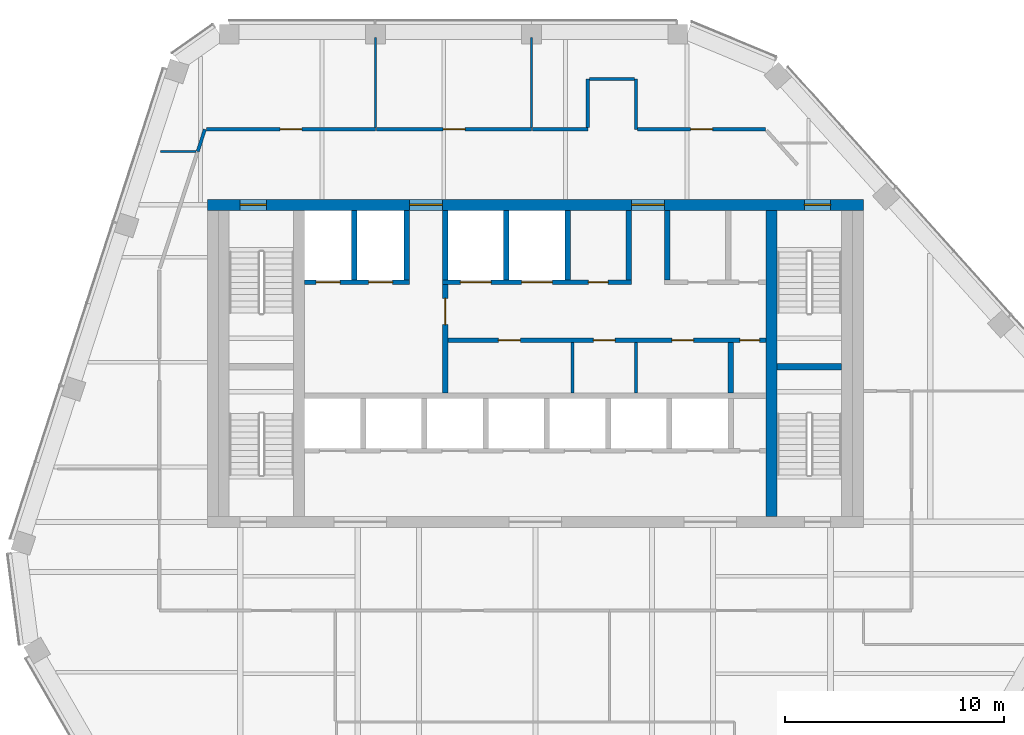
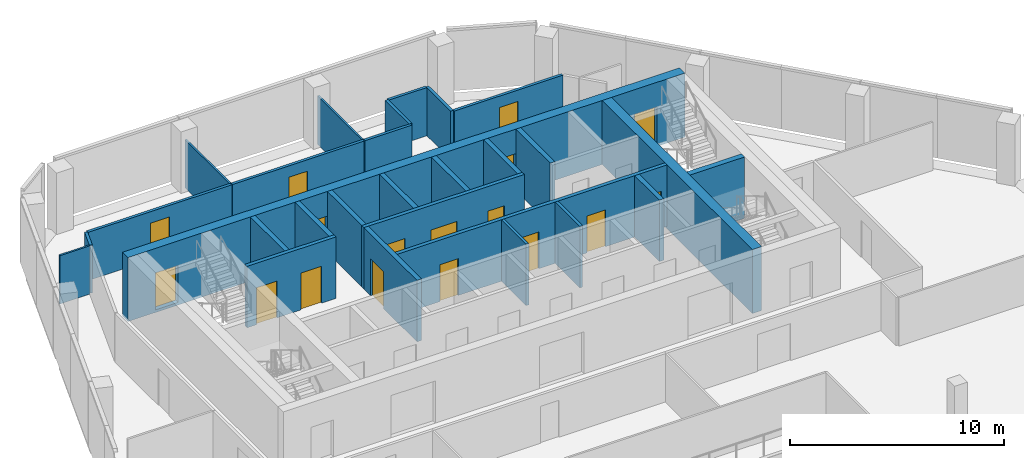
# One storey, part 9 of 15: 28 walls, 17 doors, 17 openings.
"""IFC4 building model written with IfcOpenShell, lengths in metres."""

from ifc_helpers import new_model, si_unit, direction, frame, frame_2d, origin, place, context, subcontext, project, spatial, rectangle, extrude, material, layer, layer_set, type_object, element, fill, save


model = new_model("IFC4")

# Units and contexts
model_context = context("Model", 3, precision=1e-05, world=origin(), true_north=direction((0.0, 1.0)))
body_context = subcontext(model_context, "Body", "Model", "MODEL_VIEW")
ifc_project = project(units=[si_unit("LENGTHUNIT", "METRE"), si_unit("AREAUNIT", "SQUARE_METRE"), si_unit("VOLUMEUNIT", "CUBIC_METRE"), si_unit("PLANEANGLEUNIT", "RADIAN"), si_unit("MASSUNIT", "GRAM", prefix="KILO")], contexts=[model_context])

# Site, building, storey
site_placement = place(None, origin())
site = spatial("IfcSite", under=ifc_project, at=site_placement, CompositionType="ELEMENT")
building_placement = place(site_placement, origin())
building = spatial("IfcBuilding", under=site, at=building_placement, Name="Isthmus Gate Tower", CompositionType="ELEMENT")
storey_placement = place(building_placement, frame((0.0, 0.0, 271.89990234375)))
storey = spatial("IfcBuildingStorey", under=building, at=storey_placement, Name="L69", CompositionType="ELEMENT", Elevation=271.89990234375)

# Walls
ifc_material_1 = material(Name="Gypsum board on steel studs, fire-rated", Category="steel")
ifc_layer_1 = layer(ifc_material_1, 0.14990234375)
ifc_layer_set_1 = layer_set([ifc_layer_1], Name="CORRIDOR WALL 150 60 MIN")
wall_type_1 = type_object("IfcWallType", Name="CORRIDOR WALL 150 60 MIN", PredefinedType="PARTITIONING", material=ifc_layer_set_1)
wall_1_placement = place(storey_placement, frame((4.60009765625, 20.5, 0.0), z_axis=(0.0, 0.0, 1.0), x_axis=(0.0, -1.0, 0.0)))
element("IfcWall", 1, at=wall_1_placement, inside=storey, type_object=wall_type_1, Name="L69 Corridor Wall 150 60 Min", PredefinedType="PARTITIONING", context=body_context, shape_type="SweptSolid", body=[
    extrude(rectangle(XDim=2.300048828125, YDim=0.14990234375, at=frame_2d((1.14990234375, 0.0))), origin(), (0.0, 0.0, 1.0), 2.750732421875),
])
wall_2_placement = place(storey_placement, frame((-15.44189453125, 17.18701171875, 0.0), z_axis=(0.0, 0.0, 1.0), x_axis=(0.308790594164, 0.951130048393, 0.0)))
element("IfcWall", 2, at=wall_2_placement, inside=storey, type_object=wall_type_1, Name="L69 Corridor Wall 150 60 Min", PredefinedType="PARTITIONING", context=body_context, shape_type="SweptSolid", body=[
    extrude(rectangle(XDim=1.06494140625, YDim=0.14990234375, at=frame_2d((0.532470703125, 0.0))), origin(), (0.0, 0.0, 1.0), 2.750732421875),
])

# Wall, opening, door
wall_3_placement = place(storey_placement, frame((-15.0380859375, 18.199951171875, 0.0), z_axis=(0.0, 0.0, 1.0), x_axis=(1.0, 0.0, 0.0)))
wall_3 = element("IfcWall", 3, at=wall_3_placement, inside=storey, type_object=wall_type_1, Name="L69 Corridor Wall 150 60 Min", PredefinedType="PARTITIONING", context=body_context, shape_type="SweptSolid", body=[
    extrude(rectangle(XDim=7.72802734375, YDim=0.14990234375, at=frame_2d((3.864013671875, 0.0))), origin(), (0.0, 0.0, 1.0), 2.750732421875),
])
opening_1_placement = place(wall_3_placement, frame((3.364013671875, 0.0, 0.0)))
opening_1 = element("IfcOpeningElement", 4, at=opening_1_placement, cuts=wall_3, Name="Opening DT-T6B-01", PredefinedType="OPENING", context=body_context, shape_type="SweptSolid", body=[
    extrude(rectangle(XDim=1.0, YDim=2.10009765625, at=frame_2d((0.5, 1.050048828125))), frame((0.0, 0.0849609375, 0.0), z_axis=(0.0, -1.0, 0.0), x_axis=(1.0, 0.0, 0.0)), (0.0, 0.0, 1.0), 0.169921875),
])
ifc_material_2 = material(Name="Solid core timber door leaf, fire-rated", Category="wood")
door_type_1 = type_object("IfcDoorType", Name="FIRE DOOR ROOM 1000 X 2100 60 MIN", OperationType="SINGLE_SWING_LEFT", PredefinedType="DOOR", material=ifc_material_2)
door_1_placement = place(opening_1_placement, origin())
door_1 = element("IfcDoor", 5, at=door_1_placement, inside=storey, type_object=door_type_1, Name="L69 room door", OperationType="SINGLE_SWING_RIGHT", OverallHeight=2.10009765625, OverallWidth=1.0, PredefinedType="DOOR", context=body_context, shape_type="SweptSolid", body=[
    extrude(rectangle(XDim=1.0, YDim=2.10009765625, at=frame_2d((0.5, 1.050048828125))), frame((0.0, 0.02490234375, 0.0), z_axis=(0.0, -1.0, 0.0), x_axis=(1.0, 0.0, 0.0)), (0.0, 0.0, 1.0), 0.050048828125),
])
fill(opening_1, door_1)

wall_4_placement = place(storey_placement, frame((-7.260009765625, 18.199951171875, 0.0), z_axis=(0.0, 0.0, 1.0), x_axis=(1.0, 0.0, 0.0)))
wall_4 = element("IfcWall", 6, at=wall_4_placement, inside=storey, type_object=wall_type_1, Name="L69 Corridor Wall 150 60 Min", PredefinedType="PARTITIONING", context=body_context, shape_type="SweptSolid", body=[
    extrude(rectangle(XDim=7.0849609375, YDim=0.14990234375, at=frame_2d((3.54248046875, 0.0))), origin(), (0.0, 0.0, 1.0), 2.750732421875),
])
opening_2_placement = place(wall_4_placement, frame((3.04248046875, 0.0, 0.0)))
opening_2 = element("IfcOpeningElement", 7, at=opening_2_placement, cuts=wall_4, Name="Opening DT-T6B-02", PredefinedType="OPENING", context=body_context, shape_type="SweptSolid", body=[
    extrude(rectangle(XDim=1.0, YDim=2.10009765625, at=frame_2d((0.5, 1.050048828125))), frame((0.0, 0.0849609375, 0.0), z_axis=(0.0, -1.0, 0.0), x_axis=(1.0, 0.0, 0.0)), (0.0, 0.0, 1.0), 0.169921875),
])
door_2_placement = place(opening_2_placement, origin())
door_2 = element("IfcDoor", 8, at=door_2_placement, inside=storey, type_object=door_type_1, Name="L69 room door", OperationType="SINGLE_SWING_RIGHT", OverallHeight=2.10009765625, OverallWidth=1.0, PredefinedType="DOOR", context=body_context, shape_type="SweptSolid", body=[
    extrude(rectangle(XDim=1.0, YDim=2.10009765625, at=frame_2d((0.5, 1.050048828125))), frame((0.0, 0.02490234375, 0.0), z_axis=(0.0, -1.0, 0.0), x_axis=(1.0, 0.0, 0.0)), (0.0, 0.0, 1.0), 0.050048828125),
])
fill(opening_2, door_2)

# Walls
wall_5_placement = place(storey_placement, frame((-0.125, 18.199951171875, 0.0), z_axis=(0.0, 0.0, 1.0), x_axis=(1.0, 0.0, 0.0)))
element("IfcWall", 9, at=wall_5_placement, inside=storey, type_object=wall_type_1, Name="L69 Corridor Wall 150 60 Min", PredefinedType="PARTITIONING", context=body_context, shape_type="SweptSolid", body=[
    extrude(rectangle(XDim=2.52490234375, YDim=0.14990234375, at=frame_2d((1.262451171875, 0.0))), origin(), (0.0, 0.0, 1.0), 2.750732421875),
])
wall_6_placement = place(storey_placement, frame((2.39990234375, 18.27490234375, 0.0), z_axis=(0.0, 0.0, 1.0), x_axis=(0.0, 1.0, 0.0)))
element("IfcWall", 10, at=wall_6_placement, inside=storey, type_object=wall_type_1, Name="L69 Corridor Wall 150 60 Min", PredefinedType="PARTITIONING", context=body_context, shape_type="SweptSolid", body=[
    extrude(rectangle(XDim=2.22509765625, YDim=0.14990234375, at=frame_2d((1.112548828125, 0.0))), origin(), (0.0, 0.0, 1.0), 2.750732421875),
])
wall_7_placement = place(storey_placement, frame((2.47509765625, 20.5, 0.0), z_axis=(0.0, 0.0, 1.0), x_axis=(1.0, 0.0, 0.0)))
element("IfcWall", 11, at=wall_7_placement, inside=storey, type_object=wall_type_1, Name="L69 Corridor Wall 150 60 Min", PredefinedType="PARTITIONING", context=body_context, shape_type="SweptSolid", body=[
    extrude(rectangle(XDim=2.0498046875, YDim=0.14990234375, at=frame_2d((1.02490234375, 0.0))), origin(), (0.0, 0.0, 1.0), 2.750732421875),
])

# Wall, opening, door
wall_8_placement = place(storey_placement, frame((4.675048828125, 18.199951171875, 0.0), z_axis=(0.0, 0.0, 1.0), x_axis=(1.0, 0.0, 0.0)))
wall_8 = element("IfcWall", 12, at=wall_8_placement, inside=storey, type_object=wall_type_1, Name="L69 Corridor Wall 150 60 Min", PredefinedType="PARTITIONING", context=body_context, shape_type="SweptSolid", body=[
    extrude(rectangle(XDim=5.846923828125, YDim=0.14990234375, at=frame_2d((2.92333984375, 0.0))), origin(), (0.0, 0.0, 1.0), 2.750732421875),
])
opening_3_placement = place(wall_8_placement, frame((2.423583984375, 0.0, 0.0)))
opening_3 = element("IfcOpeningElement", 13, at=opening_3_placement, cuts=wall_8, Name="Opening DT-T6B-03", PredefinedType="OPENING", context=body_context, shape_type="SweptSolid", body=[
    extrude(rectangle(XDim=1.0, YDim=2.10009765625, at=frame_2d((0.5, 1.050048828125))), frame((0.0, 0.0849609375, 0.0), z_axis=(0.0, -1.0, 0.0), x_axis=(1.0, 0.0, 0.0)), (0.0, 0.0, 1.0), 0.169921875),
])
door_3_placement = place(opening_3_placement, origin())
door_3 = element("IfcDoor", 14, at=door_3_placement, inside=storey, type_object=door_type_1, Name="L69 room door", OperationType="SINGLE_SWING_RIGHT", OverallHeight=2.10009765625, OverallWidth=1.0, PredefinedType="DOOR", context=body_context, shape_type="SweptSolid", body=[
    extrude(rectangle(XDim=1.0, YDim=2.10009765625, at=frame_2d((0.5, 1.050048828125))), frame((0.0, 0.02490234375, 0.0), z_axis=(0.0, -1.0, 0.0), x_axis=(1.0, 0.0, 0.0)), (0.0, 0.0, 1.0), 0.050048828125),
])
fill(opening_3, door_3)

ifc_material_3 = material(Name="Fire-rated blockwork masonry, 15 MPa", Category="masonry")
ifc_layer_2 = layer(ifc_material_3, 0.25)
ifc_layer_set_2 = layer_set([ifc_layer_2], Name="FIRE-FIGHTING LOBBY WALL 250 90 MIN")
wall_type_2 = type_object("IfcWallType", Name="FIRE-FIGHTING LOBBY WALL 250 90 MIN", PredefinedType="PARTITIONING", material=ifc_layer_set_2)
wall_9_placement = place(storey_placement, frame((-4.125, 6.14990234375, 0.0), z_axis=(0.0, 0.0, 1.0), x_axis=(0.0, 1.0, 0.0)))
wall_9 = element("IfcWall", 15, at=wall_9_placement, inside=storey, type_object=wall_type_2, Name="L69 FIRE-FIGHTING LOBBY WALL 250 90 MIN", PredefinedType="PARTITIONING", context=body_context, shape_type="SweptSolid", body=[
    extrude(rectangle(XDim=4.9501953125, YDim=0.25, at=frame_2d((2.47509765625, 0.0))), origin(), (0.0, 0.0, 1.0), 3.5),
])
opening_4_placement = place(wall_9_placement, frame((3.125, 0.0, 0.0)))
opening_4 = element("IfcOpeningElement", 16, at=opening_4_placement, cuts=wall_9, Name="Opening DC-A19-01", PredefinedType="OPENING", context=body_context, shape_type="SweptSolid", body=[
    extrude(rectangle(XDim=1.199951171875, YDim=2.10009765625, at=frame_2d((0.60009765625, 1.050048828125))), frame((0.0, 0.135009765625, 0.0), z_axis=(0.0, -1.0, 0.0), x_axis=(1.0, 0.0, 0.0)), (0.0, 0.0, 1.0), 0.27001953125),
])
ifc_material_4 = material(Name="Steel door leaf, fire-rated", Category="steel")
door_type_2 = type_object("IfcDoorType", Name="LOBBY FIRE DOOR 1200 X 2100 90 MIN", OperationType="DOUBLE_DOOR_SINGLE_SWING", PredefinedType="DOOR", material=ifc_material_4)
door_4_placement = place(opening_4_placement, origin())
door_4 = element("IfcDoor", 17, at=door_4_placement, inside=storey, type_object=door_type_2, Name="Fire-fighting Lobby Door", OperationType="SINGLE_SWING_LEFT", OverallHeight=2.10009765625, OverallWidth=1.199951171875, PredefinedType="DOOR", context=body_context, shape_type="SweptSolid", body=[
    extrude(rectangle(XDim=1.199951171875, YDim=2.10009765625, at=frame_2d((0.60009765625, 1.050048828125))), frame((0.0, 0.02490234375, 0.0), z_axis=(0.0, -1.0, 0.0), x_axis=(1.0, 0.0, 0.0)), (0.0, 0.0, 1.0), 0.050048828125),
])
fill(opening_4, door_4)

# Wall
ifc_material_5 = material(Name="Concrete f'c 50 MPa", Category="concrete")
ifc_layer_3 = layer(ifc_material_5, 0.5)
ifc_layer_set_3 = layer_set([ifc_layer_3], Name="RC CORE SPINE WALL 500 F'C 50")
wall_type_3 = type_object("IfcWallType", Name="RC CORE SPINE WALL 500 F'C 50", PredefinedType="SOLIDWALL", material=ifc_layer_set_3)
wall_10_placement = place(storey_placement, frame((10.800048828125, 0.5, -0.14990234375), z_axis=(0.0, 0.0, 1.0), x_axis=(0.0, 1.0, 0.0)))
element("IfcWall", 18, at=wall_10_placement, inside=storey, type_object=wall_type_3, Name="str-corewall-L69-SPE", PredefinedType="SOLIDWALL", context=body_context, shape_type="SweptSolid", body=[
    extrude(rectangle(XDim=14.0, YDim=0.5, at=frame_2d((7.0, 0.0))), origin(), (0.0, 0.0, 1.0), 3.64990234375),
])

# Wall, openings, doors
ifc_material_6 = material(Name="Concrete f'c 50 MPa", Category="concrete")
ifc_layer_4 = layer(ifc_material_6, 0.5)
ifc_layer_set_4 = layer_set([ifc_layer_4], Name="RC CORE WALL 500 F'C 50")
wall_type_4 = type_object("IfcWallType", Name="RC CORE WALL 500 F'C 50", PredefinedType="SOLIDWALL", material=ifc_layer_set_4)
wall_11_placement = place(storey_placement, frame((-15.0, 14.75, -0.14990234375), z_axis=(0.0, 0.0, 1.0), x_axis=(1.0, 0.0, 0.0)))
wall_11 = element("IfcWall", 19, at=wall_11_placement, inside=storey, type_object=wall_type_4, Name="str-corewall-L69-N", PredefinedType="SOLIDWALL", context=body_context, shape_type="SweptSolid", body=[
    extrude(rectangle(XDim=30.0, YDim=0.5, at=frame_2d((15.0, 0.0))), origin(), (0.0, 0.0, 1.0), 3.64990234375),
])
opening_5_placement = place(wall_11_placement, frame((9.25, 0.0, 0.14990234375)))
opening_5 = element("IfcOpeningElement", 20, at=opening_5_placement, cuts=wall_11, Name="Opening DC-A19-13", PredefinedType="OPENING", context=body_context, shape_type="SweptSolid", body=[
    extrude(rectangle(XDim=1.5, YDim=2.10009765625, at=frame_2d((0.75, 1.050048828125))), frame((0.0, 0.260009765625, 0.0), z_axis=(0.0, -1.0, 0.0), x_axis=(1.0, 0.0, 0.0)), (0.0, 0.0, 1.0), 0.52001953125),
])
opening_6_placement = place(wall_11_placement, frame((19.39990234375, 0.0, 0.14990234375)))
opening_6 = element("IfcOpeningElement", 21, at=opening_6_placement, cuts=wall_11, Name="Opening DC-A19-14", PredefinedType="OPENING", context=body_context, shape_type="SweptSolid", body=[
    extrude(rectangle(XDim=1.5, YDim=2.10009765625, at=frame_2d((0.75, 1.050048828125))), frame((0.0, 0.260009765625, 0.0), z_axis=(0.0, -1.0, 0.0), x_axis=(1.0, 0.0, 0.0)), (0.0, 0.0, 1.0), 0.52001953125),
])
opening_7_placement = place(wall_11_placement, frame((1.5, 0.0, 0.14990234375)))
opening_7 = element("IfcOpeningElement", 22, at=opening_7_placement, cuts=wall_11, Name="Opening DC-A19-15", PredefinedType="OPENING", context=body_context, shape_type="SweptSolid", body=[
    extrude(rectangle(XDim=1.199951171875, YDim=2.10009765625, at=frame_2d((0.60009765625, 1.050048828125))), frame((0.0, 0.260009765625, 0.0), z_axis=(0.0, -1.0, 0.0), x_axis=(1.0, 0.0, 0.0)), (0.0, 0.0, 1.0), 0.52001953125),
])
opening_8_placement = place(wall_11_placement, frame((27.300048828125, 0.0, 0.14990234375)))
opening_8 = element("IfcOpeningElement", 23, at=opening_8_placement, cuts=wall_11, Name="Opening DC-A19-16", PredefinedType="OPENING", context=body_context, shape_type="SweptSolid", body=[
    extrude(rectangle(XDim=1.199951171875, YDim=2.10009765625, at=frame_2d((0.60009765625, 1.050048828125))), frame((0.0, 0.260009765625, 0.0), z_axis=(0.0, -1.0, 0.0), x_axis=(1.0, 0.0, 0.0)), (0.0, 0.0, 1.0), 0.52001953125),
])
ifc_material_7 = material(Name="Steel door leaf, fire-rated", Category="steel")
door_type_3 = type_object("IfcDoorType", Name="LOBBY FIRE DOOR 1500 X 2100 60 MIN", OperationType="DOUBLE_DOOR_SINGLE_SWING", PredefinedType="DOOR", material=ifc_material_7)
door_5_placement = place(opening_6_placement, origin())
door_5 = element("IfcDoor", 24, at=door_5_placement, inside=storey, type_object=door_type_3, Name="Lobby Door PN-E", OperationType="DOUBLE_DOOR_SINGLE_SWING", OverallHeight=2.10009765625, OverallWidth=1.5, PredefinedType="DOOR", context=body_context, shape_type="SweptSolid", body=[
    extrude(rectangle(XDim=1.5, YDim=2.10009765625, at=frame_2d((0.75, 1.050048828125))), frame((0.0, 0.02490234375, 0.0), z_axis=(0.0, -1.0, 0.0), x_axis=(1.0, 0.0, 0.0)), (0.0, 0.0, 1.0), 0.050048828125),
])
fill(opening_6, door_5)
ifc_material_8 = material(Name="Steel door leaf, fire-rated", Category="steel")
door_type_4 = type_object("IfcDoorType", Name="LOBBY FIRE DOOR 1500 X 2100 90 MIN", OperationType="DOUBLE_DOOR_SINGLE_SWING", PredefinedType="DOOR", material=ifc_material_8)
door_6_placement = place(opening_5_placement, origin())
door_6 = element("IfcDoor", 25, at=door_6_placement, inside=storey, type_object=door_type_4, Name="Lobby Door PN-W", OperationType="DOUBLE_DOOR_SINGLE_SWING", OverallHeight=2.10009765625, OverallWidth=1.5, PredefinedType="DOOR", context=body_context, shape_type="SweptSolid", body=[
    extrude(rectangle(XDim=1.5, YDim=2.10009765625, at=frame_2d((0.75, 1.050048828125))), frame((0.0, 0.02490234375, 0.0), z_axis=(0.0, -1.0, 0.0), x_axis=(1.0, 0.0, 0.0)), (0.0, 0.0, 1.0), 0.050048828125),
])
fill(opening_5, door_6)
ifc_material_9 = material(Name="Steel door leaf, fire-rated", Category="steel")
door_type_5 = type_object("IfcDoorType", Name="STAIR FIRE DOOR 1200 X 2100 90 MIN", OperationType="SINGLE_SWING_LEFT", PredefinedType="DOOR", material=ifc_material_9)
door_7_placement = place(opening_7_placement, origin())
door_7 = element("IfcDoor", 26, at=door_7_placement, inside=storey, type_object=door_type_5, Name="Exit Stair 1 Door", OperationType="SINGLE_SWING_RIGHT", OverallHeight=2.10009765625, OverallWidth=1.199951171875, PredefinedType="DOOR", context=body_context, shape_type="SweptSolid", body=[
    extrude(rectangle(XDim=1.199951171875, YDim=2.10009765625, at=frame_2d((0.60009765625, 1.050048828125))), frame((0.0, 0.02490234375, 0.0), z_axis=(0.0, -1.0, 0.0), x_axis=(1.0, 0.0, 0.0)), (0.0, 0.0, 1.0), 0.050048828125),
])
fill(opening_7, door_7)
door_8_placement = place(opening_8_placement, origin())
door_8 = element("IfcDoor", 27, at=door_8_placement, inside=storey, type_object=door_type_5, Name="Exit Stair 2 Door", OperationType="SINGLE_SWING_LEFT", OverallHeight=2.10009765625, OverallWidth=1.199951171875, PredefinedType="DOOR", context=body_context, shape_type="SweptSolid", body=[
    extrude(rectangle(XDim=1.199951171875, YDim=2.10009765625, at=frame_2d((0.60009765625, 1.050048828125))), frame((0.0, 0.02490234375, 0.0), z_axis=(0.0, -1.0, 0.0), x_axis=(1.0, 0.0, 0.0)), (0.0, 0.0, 1.0), 0.050048828125),
])
fill(opening_8, door_8)

# Walls
ifc_material_10 = material(Name="Gypsum board on steel studs, fire-rated", Category="steel")
ifc_layer_5 = layer(ifc_material_10, 0.10009765625)
ifc_layer_set_5 = layer_set([ifc_layer_5], Name="ROOM PARTITION 100 30 MIN")
wall_type_5 = type_object("IfcWallType", Name="ROOM PARTITION 100 30 MIN", PredefinedType="PARTITIONING", material=ifc_layer_set_5)
wall_12_placement = place(storey_placement, frame((-7.31005859375, 18.27490234375, 0.0), z_axis=(0.0, 0.0, 1.0), x_axis=(0.0, 1.0, 0.0)))
element("IfcWall", 28, at=wall_12_placement, inside=storey, type_object=wall_type_5, Name="L69 Room Partition 100 30 Min", PredefinedType="PARTITIONING", context=body_context, shape_type="SweptSolid", body=[
    extrude(rectangle(XDim=4.125, YDim=0.10009765625, at=frame_2d((2.0625, 0.0))), origin(), (0.0, 0.0, 1.0), 2.750732421875),
])
wall_13_placement = place(storey_placement, frame((-17.139892578125, 17.18701171875, 0.0), z_axis=(0.0, 0.0, 1.0), x_axis=(1.0, 0.0, 0.0)))
element("IfcWall", 29, at=wall_13_placement, inside=storey, type_object=wall_type_5, Name="L69 Room Partition 100 30 Min", PredefinedType="PARTITIONING", context=body_context, shape_type="SweptSolid", body=[
    extrude(rectangle(XDim=1.622802734375, YDim=0.10009765625, at=frame_2d((0.8115234375, 0.0))), origin(), (0.0, 0.0, 1.0), 2.750732421875),
])
wall_14_placement = place(storey_placement, frame((-0.175048828125, 18.27490234375, 0.0), z_axis=(0.0, 0.0, 1.0), x_axis=(0.0, 1.0, 0.0)))
element("IfcWall", 30, at=wall_14_placement, inside=storey, type_object=wall_type_5, Name="L69 Room Partition 100 30 Min", PredefinedType="PARTITIONING", context=body_context, shape_type="SweptSolid", body=[
    extrude(rectangle(XDim=4.125, YDim=0.10009765625, at=frame_2d((2.0625, 0.0))), origin(), (0.0, 0.0, 1.0), 2.750732421875),
])
ifc_material_11 = material(Name="Gypsum board on steel studs, fire-rated", Category="steel")
ifc_layer_6 = layer(ifc_material_11, 0.14990234375)
ifc_layer_set_6 = layer_set([ifc_layer_6], Name="ROOM PARTITION 150 60 MIN")
wall_type_6 = type_object("IfcWallType", Name="ROOM PARTITION 150 60 MIN", PredefinedType="PARTITIONING", material=ifc_layer_set_6)
for number, where, z_axis, x_axis, name in (
    (31, (1.699951171875, 6.14990234375, 0.0), (0.0, 0.0, 1.0), (0.0, 1.0, 0.0), "L69 ROOM PARTITION 150 60 MIN"),
    (32, (4.60009765625, 6.14990234375, 0.0), (0.0, 0.0, 1.0), (0.0, 1.0, 0.0), "L69 ROOM PARTITION 150 60 MIN"),
):
    element("IfcWall", number, at=place(storey_placement, frame(where, z_axis=z_axis, x_axis=x_axis)), inside=storey, type_object=wall_type_6, Name=name, PredefinedType="PARTITIONING", context=body_context, shape_type="SweptSolid", body=[
        extrude(rectangle(XDim=2.300048828125, YDim=0.14990234375, at=frame_2d((1.14990234375, 0.0))), origin(), (0.0, 0.0, 1.0), 3.5),
    ])

# Wall, openings, doors
ifc_material_12 = material(Name="Fire-rated blockwork masonry, 15 MPa", Category="masonry")
ifc_layer_7 = layer(ifc_material_12, 0.199951171875)
ifc_layer_set_7 = layer_set([ifc_layer_7], Name="SHAFT FRONT WALL 200 120 MIN")
wall_type_7 = type_object("IfcWallType", Name="SHAFT FRONT WALL 200 120 MIN", PredefinedType="PARTITIONING", material=ifc_layer_set_7)
wall_15_placement = place(storey_placement, frame((-4.125, 8.550048828125, 0.0), z_axis=(0.0, 0.0, 1.0), x_axis=(1.0, 0.0, 0.0)))
wall_15 = element("IfcWall", 33, at=wall_15_placement, inside=storey, type_object=wall_type_7, Name="L69 SHAFT FRONT WALL 200 120 MIN", PredefinedType="PARTITIONING", context=body_context, shape_type="SweptSolid", body=[
    extrude(rectangle(XDim=14.675048828125, YDim=0.199951171875, at=frame_2d((7.33740234375, 0.0))), origin(), (0.0, 0.0, 1.0), 3.5),
])
opening_9_placement = place(wall_15_placement, frame((2.4375, 0.0, 0.0)))
opening_9 = element("IfcOpeningElement", 34, at=opening_9_placement, cuts=wall_15, Name="Opening DC-A19-03", PredefinedType="OPENING", context=body_context, shape_type="SweptSolid", body=[
    extrude(rectangle(XDim=1.0, YDim=2.10009765625, at=frame_2d((0.5, 1.050048828125))), frame((0.0, 0.10986328125, 0.0), z_axis=(0.0, -1.0, 0.0), x_axis=(1.0, 0.0, 0.0)), (0.0, 0.0, 1.0), 0.219970703125),
])
opening_10_placement = place(wall_15_placement, frame((6.77490234375, 0.0, 0.0)))
opening_10 = element("IfcOpeningElement", 35, at=opening_10_placement, cuts=wall_15, Name="Opening DC-A19-04", PredefinedType="OPENING", context=body_context, shape_type="SweptSolid", body=[
    extrude(rectangle(XDim=1.0, YDim=2.10009765625, at=frame_2d((0.5, 1.050048828125))), frame((0.0, 0.10986328125, 0.0), z_axis=(0.0, -1.0, 0.0), x_axis=(1.0, 0.0, 0.0)), (0.0, 0.0, 1.0), 0.219970703125),
])
opening_11_placement = place(wall_15_placement, frame((10.362548828125, 0.0, 0.0)))
opening_11 = element("IfcOpeningElement", 36, at=opening_11_placement, cuts=wall_15, Name="Opening DC-A19-05", PredefinedType="OPENING", context=body_context, shape_type="SweptSolid", body=[
    extrude(rectangle(XDim=1.0, YDim=2.10009765625, at=frame_2d((0.5, 1.050048828125))), frame((0.0, 0.10986328125, 0.0), z_axis=(0.0, -1.0, 0.0), x_axis=(1.0, 0.0, 0.0)), (0.0, 0.0, 1.0), 0.219970703125),
])
opening_12_placement = place(wall_15_placement, frame((13.47509765625, 0.0, 0.0)))
opening_12 = element("IfcOpeningElement", 37, at=opening_12_placement, cuts=wall_15, Name="Opening DC-A19-06", PredefinedType="OPENING", context=body_context, shape_type="SweptSolid", body=[
    extrude(rectangle(XDim=0.89990234375, YDim=2.10009765625, at=frame_2d((0.449951171875, 1.050048828125))), frame((0.0, 0.10986328125, 0.0), z_axis=(0.0, -1.0, 0.0), x_axis=(1.0, 0.0, 0.0)), (0.0, 0.0, 1.0), 0.219970703125),
])
ifc_material_13 = material(Name="Steel door leaf, fire-rated", Category="steel")
door_type_6 = type_object("IfcDoorType", Name="FIRE DOOR 1000 X 2100 60 MIN", OperationType="SINGLE_SWING_LEFT", PredefinedType="DOOR", material=ifc_material_13)
door_9_placement = place(opening_9_placement, origin())
door_9 = element("IfcDoor", 38, at=door_9_placement, inside=storey, type_object=door_type_6, Name="WC Women Door", OperationType="SINGLE_SWING_LEFT", OverallHeight=2.10009765625, OverallWidth=1.0, PredefinedType="DOOR", context=body_context, shape_type="SweptSolid", body=[
    extrude(rectangle(XDim=1.0, YDim=2.10009765625, at=frame_2d((0.5, 1.050048828125))), frame((0.0, 0.02490234375, 0.0), z_axis=(0.0, -1.0, 0.0), x_axis=(1.0, 0.0, 0.0)), (0.0, 0.0, 1.0), 0.050048828125),
])
fill(opening_9, door_9)
door_10_placement = place(opening_10_placement, origin())
door_10 = element("IfcDoor", 39, at=door_10_placement, inside=storey, type_object=door_type_6, Name="Accessible WC Door", OperationType="SINGLE_SWING_RIGHT", OverallHeight=2.10009765625, OverallWidth=1.0, PredefinedType="DOOR", context=body_context, shape_type="SweptSolid", body=[
    extrude(rectangle(XDim=1.0, YDim=2.10009765625, at=frame_2d((0.5, 1.050048828125))), frame((0.0, 0.02490234375, 0.0), z_axis=(0.0, -1.0, 0.0), x_axis=(1.0, 0.0, 0.0)), (0.0, 0.0, 1.0), 0.050048828125),
])
fill(opening_10, door_10)
door_11_placement = place(opening_11_placement, origin())
door_11 = element("IfcDoor", 40, at=door_11_placement, inside=storey, type_object=door_type_6, Name="WC Men Door", OperationType="SINGLE_SWING_LEFT", OverallHeight=2.10009765625, OverallWidth=1.0, PredefinedType="DOOR", context=body_context, shape_type="SweptSolid", body=[
    extrude(rectangle(XDim=1.0, YDim=2.10009765625, at=frame_2d((0.5, 1.050048828125))), frame((0.0, 0.02490234375, 0.0), z_axis=(0.0, -1.0, 0.0), x_axis=(1.0, 0.0, 0.0)), (0.0, 0.0, 1.0), 0.050048828125),
])
fill(opening_11, door_11)
ifc_material_14 = material(Name="Steel door leaf, fire-rated", Category="steel")
door_type_7 = type_object("IfcDoorType", Name="RISER FIRE DOOR 900 X 2100 90 MIN", OperationType="SINGLE_SWING_LEFT", PredefinedType="DOOR", material=ifc_material_14)
door_12_placement = place(opening_12_placement, origin())
door_12 = element("IfcDoor", 41, at=door_12_placement, inside=storey, type_object=door_type_7, Name="Riser Door", OperationType="SINGLE_SWING_RIGHT", OverallHeight=2.10009765625, OverallWidth=0.89990234375, PredefinedType="DOOR", context=body_context, shape_type="SweptSolid", body=[
    extrude(rectangle(XDim=0.89990234375, YDim=2.10009765625, at=frame_2d((0.449951171875, 1.050048828125))), frame((0.0, 0.02490234375, 0.0), z_axis=(0.0, -1.0, 0.0), x_axis=(1.0, 0.0, 0.0)), (0.0, 0.0, 1.0), 0.050048828125),
])
fill(opening_12, door_12)

wall_16_placement = place(storey_placement, frame((-10.550048828125, 11.199951171875, 0.0), z_axis=(0.0, 0.0, 1.0), x_axis=(1.0, 0.0, 0.0)))
wall_16 = element("IfcWall", 42, at=wall_16_placement, inside=storey, type_object=wall_type_7, Name="L69 SHAFT FRONT WALL 200 120 MIN", PredefinedType="PARTITIONING", context=body_context, shape_type="SweptSolid", body=[
    extrude(rectangle(XDim=4.800048828125, YDim=0.199951171875, at=frame_2d((2.39990234375, 0.0))), origin(), (0.0, 0.0, 1.0), 3.5),
])
opening_13_placement = place(wall_16_placement, frame((0.52490234375, 0.0, 0.0)))
opening_13 = element("IfcOpeningElement", 43, at=opening_13_placement, cuts=wall_16, Name="Opening LD-LF1", PredefinedType="OPENING", context=body_context, shape_type="SweptSolid", body=[
    extrude(rectangle(XDim=1.10009765625, YDim=2.10009765625, at=frame_2d((0.550048828125, 1.050048828125))), frame((0.0, 0.10986328125, 0.0), z_axis=(0.0, -1.0, 0.0), x_axis=(1.0, 0.0, 0.0)), (0.0, 0.0, 1.0), 0.219970703125),
])
opening_14_placement = place(wall_16_placement, frame((2.925048828125, 0.0, 0.0)))
opening_14 = element("IfcOpeningElement", 44, at=opening_14_placement, cuts=wall_16, Name="Opening LD-LF2", PredefinedType="OPENING", context=body_context, shape_type="SweptSolid", body=[
    extrude(rectangle(XDim=1.10009765625, YDim=2.10009765625, at=frame_2d((0.550048828125, 1.050048828125))), frame((0.0, 0.10986328125, 0.0), z_axis=(0.0, -1.0, 0.0), x_axis=(1.0, 0.0, 0.0)), (0.0, 0.0, 1.0), 0.219970703125),
])
ifc_material_15 = material(Name="Stainless steel sliding leaf", Category="steel")
door_type_8 = type_object("IfcDoorType", Name="LIFT LANDING FIRE DOOR 1100 X 2100 90 MIN", OperationType="DOUBLE_DOOR_SLIDING", PredefinedType="DOOR", material=ifc_material_15)
door_13_placement = place(opening_13_placement, origin())
door_13 = element("IfcDoor", 45, at=door_13_placement, inside=storey, type_object=door_type_8, Name="Lift Landing Door LF1", OperationType="DOUBLE_DOOR_SLIDING", OverallHeight=2.10009765625, OverallWidth=1.10009765625, PredefinedType="DOOR", context=body_context, shape_type="SweptSolid", body=[
    extrude(rectangle(XDim=1.10009765625, YDim=2.10009765625, at=frame_2d((0.550048828125, 1.050048828125))), frame((0.0, 0.02490234375, 0.0), z_axis=(0.0, -1.0, 0.0), x_axis=(1.0, 0.0, 0.0)), (0.0, 0.0, 1.0), 0.050048828125),
])
fill(opening_13, door_13)
door_14_placement = place(opening_14_placement, origin())
door_14 = element("IfcDoor", 46, at=door_14_placement, inside=storey, type_object=door_type_8, Name="Lift Landing Door LF2", OperationType="DOUBLE_DOOR_SLIDING", OverallHeight=2.10009765625, OverallWidth=1.10009765625, PredefinedType="DOOR", context=body_context, shape_type="SweptSolid", body=[
    extrude(rectangle(XDim=1.10009765625, YDim=2.10009765625, at=frame_2d((0.550048828125, 1.050048828125))), frame((0.0, 0.02490234375, 0.0), z_axis=(0.0, -1.0, 0.0), x_axis=(1.0, 0.0, 0.0)), (0.0, 0.0, 1.0), 0.050048828125),
])
fill(opening_14, door_14)

wall_17_placement = place(storey_placement, frame((-4.25, 11.199951171875, 0.0), z_axis=(0.0, 0.0, 1.0), x_axis=(1.0, 0.0, 0.0)))
wall_17 = element("IfcWall", 47, at=wall_17_placement, inside=storey, type_object=wall_type_7, Name="L69 SHAFT FRONT WALL 200 120 MIN", PredefinedType="PARTITIONING", context=body_context, shape_type="SweptSolid", body=[
    extrude(rectangle(XDim=8.64990234375, YDim=0.199951171875, at=frame_2d((4.324951171875, 0.0))), origin(), (0.0, 0.0, 1.0), 3.5),
])
opening_15_placement = place(wall_17_placement, frame((0.824951171875, 0.0, 0.0)))
opening_15 = element("IfcOpeningElement", 48, at=opening_15_placement, cuts=wall_17, Name="Opening LD-LV1", PredefinedType="OPENING", context=body_context, shape_type="SweptSolid", body=[
    extrude(rectangle(XDim=1.39990234375, YDim=2.10009765625, at=frame_2d((0.699951171875, 1.050048828125))), frame((0.0, 0.10986328125, 0.0), z_axis=(0.0, -1.0, 0.0), x_axis=(1.0, 0.0, 0.0)), (0.0, 0.0, 1.0), 0.219970703125),
])
opening_16_placement = place(wall_17_placement, frame((3.625, 0.0, 0.0)))
opening_16 = element("IfcOpeningElement", 49, at=opening_16_placement, cuts=wall_17, Name="Opening LD-LV2", PredefinedType="OPENING", context=body_context, shape_type="SweptSolid", body=[
    extrude(rectangle(XDim=1.39990234375, YDim=2.10009765625, at=frame_2d((0.699951171875, 1.050048828125))), frame((0.0, 0.10986328125, 0.0), z_axis=(0.0, -1.0, 0.0), x_axis=(1.0, 0.0, 0.0)), (0.0, 0.0, 1.0), 0.219970703125),
])
opening_17_placement = place(wall_17_placement, frame((6.675048828125, 0.0, 0.0)))
opening_17 = element("IfcOpeningElement", 50, at=opening_17_placement, cuts=wall_17, Name="Opening DC-A19-07", PredefinedType="OPENING", context=body_context, shape_type="SweptSolid", body=[
    extrude(rectangle(XDim=0.89990234375, YDim=2.10009765625, at=frame_2d((0.449951171875, 1.050048828125))), frame((0.0, 0.10986328125, 0.0), z_axis=(0.0, -1.0, 0.0), x_axis=(1.0, 0.0, 0.0)), (0.0, 0.0, 1.0), 0.219970703125),
])
ifc_material_16 = material(Name="Steel door leaf, fire-rated", Category="steel")
door_type_9 = type_object("IfcDoorType", Name="FIRE DOOR 900 X 2100 60 MIN", OperationType="SINGLE_SWING_LEFT", PredefinedType="DOOR", material=ifc_material_16)
door_15_placement = place(opening_17_placement, origin())
door_15 = element("IfcDoor", 51, at=door_15_placement, inside=storey, type_object=door_type_9, Name="Comms Room Door", OperationType="SINGLE_SWING_LEFT", OverallHeight=2.10009765625, OverallWidth=0.89990234375, PredefinedType="DOOR", context=body_context, shape_type="SweptSolid", body=[
    extrude(rectangle(XDim=0.89990234375, YDim=2.10009765625, at=frame_2d((0.449951171875, 1.050048828125))), frame((0.0, 0.02490234375, 0.0), z_axis=(0.0, -1.0, 0.0), x_axis=(1.0, 0.0, 0.0)), (0.0, 0.0, 1.0), 0.050048828125),
])
fill(opening_17, door_15)
ifc_material_17 = material(Name="Stainless steel sliding leaf", Category="steel")
door_type_10 = type_object("IfcDoorType", Name="LIFT LANDING FIRE DOOR 1400 X 2100 90 MIN", OperationType="DOUBLE_DOOR_SLIDING", PredefinedType="DOOR", material=ifc_material_17)
door_16_placement = place(opening_15_placement, origin())
door_16 = element("IfcDoor", 52, at=door_16_placement, inside=storey, type_object=door_type_10, Name="Lift Landing Door LV1", OperationType="DOUBLE_DOOR_SLIDING", OverallHeight=2.10009765625, OverallWidth=1.39990234375, PredefinedType="DOOR", context=body_context, shape_type="SweptSolid", body=[
    extrude(rectangle(XDim=1.39990234375, YDim=2.10009765625, at=frame_2d((0.699951171875, 1.050048828125))), frame((0.0, 0.02490234375, 0.0), z_axis=(0.0, -1.0, 0.0), x_axis=(1.0, 0.0, 0.0)), (0.0, 0.0, 1.0), 0.050048828125),
])
fill(opening_15, door_16)
door_17_placement = place(opening_16_placement, origin())
door_17 = element("IfcDoor", 53, at=door_17_placement, inside=storey, type_object=door_type_10, Name="Lift Landing Door LV2", OperationType="DOUBLE_DOOR_SLIDING", OverallHeight=2.10009765625, OverallWidth=1.39990234375, PredefinedType="DOOR", context=body_context, shape_type="SweptSolid", body=[
    extrude(rectangle(XDim=1.39990234375, YDim=2.10009765625, at=frame_2d((0.699951171875, 1.050048828125))), frame((0.0, 0.02490234375, 0.0), z_axis=(0.0, -1.0, 0.0), x_axis=(1.0, 0.0, 0.0)), (0.0, 0.0, 1.0), 0.050048828125),
])
fill(opening_16, door_17)

# Walls
ifc_material_18 = material(Name="Fire-rated blockwork masonry, 15 MPa", Category="masonry")
ifc_layer_8 = layer(ifc_material_18, 0.25)
ifc_layer_set_8 = layer_set([ifc_layer_8], Name="SHAFT WALL 250 120 MIN")
wall_type_8 = type_object("IfcWallType", Name="SHAFT WALL 250 120 MIN", PredefinedType="PARTITIONING", material=ifc_layer_set_8)
wall_18_placement = place(storey_placement, frame((8.925048828125, 6.14990234375, 0.0), z_axis=(0.0, 0.0, 1.0), x_axis=(0.0, 1.0, 0.0)))
element("IfcWall", 54, at=wall_18_placement, inside=storey, type_object=wall_type_8, Name="L69 SHAFT WALL 250 120 MIN", PredefinedType="PARTITIONING", context=body_context, shape_type="SweptSolid", body=[
    extrude(rectangle(XDim=2.300048828125, YDim=0.25, at=frame_2d((1.14990234375, 0.0))), origin(), (0.0, 0.0, 1.0), 3.5),
])
for number, where, z_axis, x_axis, name in (
    (55, (-8.27490234375, 11.300048828125, 0.0), (0.0, 0.0, 1.0), (0.0, 1.0, 0.0), "L69 SHAFT WALL 250 120 MIN"),
    (56, (-5.875, 11.300048828125, 0.0), (0.0, 0.0, 1.0), (0.0, 1.0, 0.0), "L69 SHAFT WALL 250 120 MIN"),
    (57, (-4.125, 11.300048828125, 0.0), (0.0, 0.0, 1.0), (0.0, 1.0, 0.0), "L69 SHAFT WALL 250 120 MIN"),
    (58, (-1.324951171875, 11.300048828125, 0.0), (0.0, 0.0, 1.0), (0.0, 1.0, 0.0), "L69 SHAFT WALL 250 120 MIN"),
    (59, (1.47509765625, 11.300048828125, 0.0), (0.0, 0.0, 1.0), (0.0, 1.0, 0.0), "L69 SHAFT WALL 250 120 MIN"),
    (60, (4.27490234375, 11.300048828125, 0.0), (0.0, 0.0, 1.0), (0.0, 1.0, 0.0), "L69 SHAFT WALL 250 120 MIN"),
    (61, (6.02490234375, 11.300048828125, 0.0), (0.0, 0.0, 1.0), (0.0, 1.0, 0.0), "L69 SHAFT WALL 250 120 MIN"),
):
    element("IfcWall", number, at=place(storey_placement, frame(where, z_axis=z_axis, x_axis=x_axis)), inside=storey, type_object=wall_type_8, Name=name, PredefinedType="PARTITIONING", context=body_context, shape_type="SweptSolid", body=[
        extrude(rectangle(XDim=3.199951171875, YDim=0.25, at=frame_2d((1.60009765625, 0.0))), origin(), (0.0, 0.0, 1.0), 3.5),
    ])
ifc_material_19 = material(Name="Concrete f'c 40 MPa", Category="concrete")
ifc_layer_9 = layer(ifc_material_19, 0.300048828125)
ifc_layer_set_9 = layer_set([ifc_layer_9], Name="STAIR ENCLOSURE WALL 300 180 MIN")
wall_type_9 = type_object("IfcWallType", Name="STAIR ENCLOSURE WALL 300 180 MIN", PredefinedType="SOLIDWALL", material=ifc_layer_set_9)
wall_19_placement = place(storey_placement, frame((11.050048828125, 7.35009765625, 0.0), z_axis=(0.0, 0.0, 1.0), x_axis=(1.0, 0.0, 0.0)))
element("IfcWall", 62, at=wall_19_placement, inside=storey, type_object=wall_type_9, Name="L69 STAIR ENCLOSURE WALL 300 180 MIN", PredefinedType="SOLIDWALL", context=body_context, shape_type="SweptSolid", body=[
    extrude(rectangle(XDim=2.949951171875, YDim=0.300048828125, at=frame_2d((1.47509765625, 0.0))), origin(), (0.0, 0.0, 1.0), 3.5),
])

save(model, "model.ifc")
